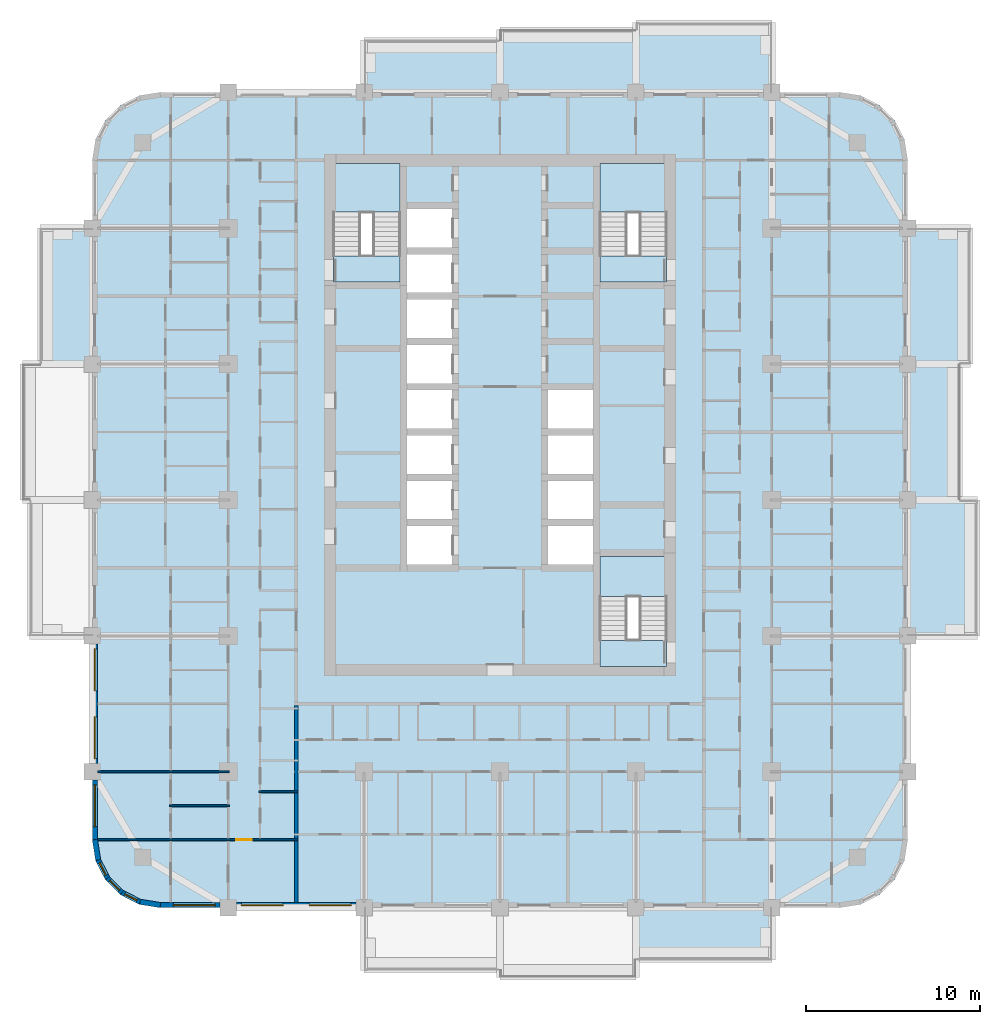
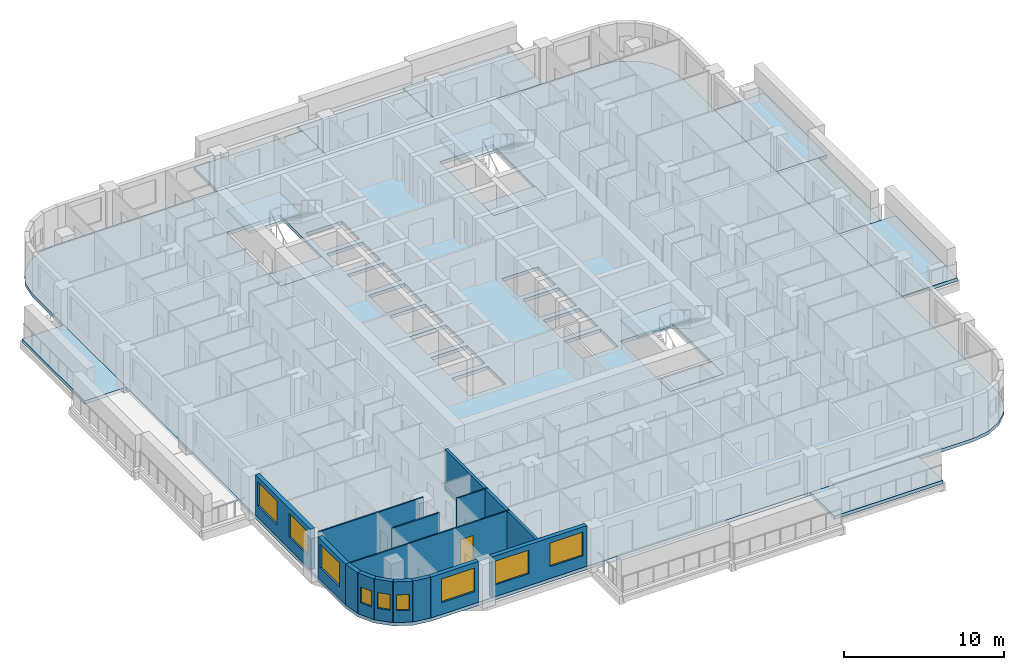
# One storey, part 2 of 17: 15 slabs, 14 walls, 9 windows, 1 door, 10 openings, 3 elements without a shape of their own.
"""IFC4 building model written with IfcOpenShell, lengths in metres."""

from ifc_helpers import new_model, si_unit, direction, frame, frame_2d, origin, place, context, subcontext, project, spatial, polyline, rectangle, outline, extrude, material, layer, layer_set, type_object, element, fill, aggregate, save


model = new_model("IFC4")

# Units and contexts
model_context = context("Model", 3, precision=1e-05, world=origin(), true_north=direction((0.0, 1.0)))
body_context = subcontext(model_context, "Body", "Model", "MODEL_VIEW")
ifc_project = project(units=[si_unit("LENGTHUNIT", "METRE"), si_unit("AREAUNIT", "SQUARE_METRE"), si_unit("VOLUMEUNIT", "CUBIC_METRE"), si_unit("PLANEANGLEUNIT", "RADIAN"), si_unit("MASSUNIT", "GRAM", prefix="KILO")], contexts=[model_context])

# Site, building, storey
site_placement = place(None, origin())
site = spatial("IfcSite", under=ifc_project, at=site_placement, CompositionType="ELEMENT")
building_placement = place(site_placement, origin())
building = spatial("IfcBuilding", under=site, at=building_placement, Name="Ludao Terraces", CompositionType="ELEMENT")
storey_placement = place(building_placement, frame((0.0, 0.0, 92.0)))
storey = spatial("IfcBuildingStorey", under=building, at=storey_placement, Name="L25", CompositionType="ELEMENT", Elevation=92.0)

# Slabs
ifc_material_1 = material(Name="Concrete C40", Category="concrete")
ifc_layer_1 = layer(ifc_material_1, 0.25)
ifc_layer_set_1 = layer_set([ifc_layer_1], Name="Balcony slab 250 C40")
slab_type_1 = type_object("IfcSlabType", Name="Balcony slab 250 C40", PredefinedType="USERDEFINED", material=ifc_layer_set_1)
slab_1_placement = place(storey_placement, frame((0.0, 0.0, -0.25)))
element("IfcSlab", 1, at=slab_1_placement, inside=storey, type_object=slab_type_1, Name="Balcony L25 S4", ObjectType="BALCONY", PredefinedType="USERDEFINED", context=body_context, shape_type="SweptSolid", body=[
    extrude(outline(polyline([(92.800048828125, 38.60009765625), (100.60009765625, 38.60009765625), (100.60009765625, 41.60009765625), (92.800048828125, 41.60009765625), (92.800048828125, 38.60009765625)])), origin(), (0.0, 0.0, 1.0), 0.25),
])
slab_2_placement = place(storey_placement, frame((0.0, 0.0, -0.25)))
element("IfcSlab", 2, at=slab_2_placement, inside=storey, type_object=slab_type_1, Name="Balcony L25 E2", ObjectType="BALCONY", PredefinedType="USERDEFINED", context=body_context, shape_type="SweptSolid", body=[
    extrude(outline(polyline([(108.39990234375, 57.199951171875), (112.39990234375, 57.199951171875), (112.39990234375, 65.0), (108.39990234375, 65.0), (108.39990234375, 57.199951171875)])), origin(), (0.0, 0.0, 1.0), 0.25),
])
slab_3_placement = place(storey_placement, frame((0.0, 0.0, -0.25)))
element("IfcSlab", 3, at=slab_3_placement, inside=storey, type_object=slab_type_1, Name="Balcony L25 E3", ObjectType="BALCONY", PredefinedType="USERDEFINED", context=body_context, shape_type="SweptSolid", body=[
    extrude(outline(polyline([(108.39990234375, 65.0), (111.39990234375, 65.0), (111.39990234375, 72.800048828125), (108.39990234375, 72.800048828125), (108.39990234375, 65.0)])), origin(), (0.0, 0.0, 1.0), 0.25),
])
slab_4_placement = place(storey_placement, frame((0.0, 0.0, -0.25)))
element("IfcSlab", 4, at=slab_4_placement, inside=storey, type_object=slab_type_1, Name="Balcony L25 E4", ObjectType="BALCONY", PredefinedType="USERDEFINED", context=body_context, shape_type="SweptSolid", body=[
    extrude(outline(polyline([(108.39990234375, 72.800048828125), (112.0, 72.800048828125), (112.0, 80.60009765625), (108.39990234375, 80.60009765625), (108.39990234375, 72.800048828125)])), origin(), (0.0, 0.0, 1.0), 0.25),
])
slab_5_placement = place(storey_placement, frame((0.0, 0.0, -0.25)))
element("IfcSlab", 5, at=slab_5_placement, inside=storey, type_object=slab_type_1, Name="Balcony L25 N2", ObjectType="BALCONY", PredefinedType="USERDEFINED", context=body_context, shape_type="SweptSolid", body=[
    extrude(outline(polyline([(77.199951171875, 88.39990234375), (85.0, 88.39990234375), (85.0, 91.39990234375), (77.199951171875, 91.39990234375), (77.199951171875, 88.39990234375)])), origin(), (0.0, 0.0, 1.0), 0.25),
])
slab_6_placement = place(storey_placement, frame((0.0, 0.0, -0.25)))
element("IfcSlab", 6, at=slab_6_placement, inside=storey, type_object=slab_type_1, Name="Balcony L25 N3", ObjectType="BALCONY", PredefinedType="USERDEFINED", context=body_context, shape_type="SweptSolid", body=[
    extrude(outline(polyline([(85.0, 88.39990234375), (92.800048828125, 88.39990234375), (92.800048828125, 92.0), (85.0, 92.0), (85.0, 88.39990234375)])), origin(), (0.0, 0.0, 1.0), 0.25),
])
slab_7_placement = place(storey_placement, frame((0.0, 0.0, -0.25)))
element("IfcSlab", 7, at=slab_7_placement, inside=storey, type_object=slab_type_1, Name="Balcony L25 N4", ObjectType="BALCONY", PredefinedType="USERDEFINED", context=body_context, shape_type="SweptSolid", body=[
    extrude(outline(polyline([(92.800048828125, 88.39990234375), (100.60009765625, 88.39990234375), (100.60009765625, 92.39990234375), (92.800048828125, 92.39990234375), (92.800048828125, 88.39990234375)])), origin(), (0.0, 0.0, 1.0), 0.25),
])
slab_8_placement = place(storey_placement, frame((0.0, 0.0, -0.25)))
element("IfcSlab", 8, at=slab_8_placement, inside=storey, type_object=slab_type_1, Name="Balcony L25 W4", ObjectType="BALCONY", PredefinedType="USERDEFINED", context=body_context, shape_type="SweptSolid", body=[
    extrude(outline(polyline([(58.60009765625, 72.800048828125), (61.60009765625, 72.800048828125), (61.60009765625, 80.60009765625), (58.60009765625, 80.60009765625), (58.60009765625, 72.800048828125)])), origin(), (0.0, 0.0, 1.0), 0.25),
])
ifc_layer_2 = layer(ifc_material_1, 0.25)
ifc_layer_set_2 = layer_set([ifc_layer_2], Name="Floor slab 250 C40")
slab_type_2 = type_object("IfcSlabType", Name="Floor slab 250 C40", PredefinedType="FLOOR", material=ifc_layer_set_2)
slab_9_placement = place(storey_placement, frame((0.0, 0.0, -0.25)))
element("IfcSlab", 9, at=slab_9_placement, inside=storey, type_object=slab_type_2, Name="Slab L25", PredefinedType="FLOOR", context=body_context, shape_type="SweptSolid", body=[
    extrude(outline(polyline([(104.5, 41.60009765625), (105.705078125, 41.790771484375), (106.79248046875, 42.3447265625), (107.6552734375, 43.20751953125), (108.209228515625, 44.294921875), (108.39990234375, 45.5), (108.39990234375, 84.5), (108.209228515625, 85.705078125), (107.6552734375, 86.79248046875), (106.79248046875, 87.6552734375), (105.705078125, 88.209228515625), (104.5, 88.39990234375), (65.5, 88.39990234375), (64.294921875, 88.209228515625), (63.20751953125, 87.6552734375), (62.3447265625, 86.79248046875), (61.790771484375, 85.705078125), (61.60009765625, 84.5), (61.60009765625, 45.5), (61.790771484375, 44.294921875), (62.3447265625, 43.20751953125), (63.20751953125, 42.3447265625), (64.294921875, 41.790771484375), (65.5, 41.60009765625), (104.5, 41.60009765625)]), holes=[polyline([(79.64990234375, 61.300048828125), (82.25, 61.300048828125), (82.25, 63.5), (79.64990234375, 63.5), (79.64990234375, 61.300048828125)]), polyline([(79.64990234375, 63.89990234375), (82.25, 63.89990234375), (82.25, 66.10009765625), (79.64990234375, 66.10009765625), (79.64990234375, 63.89990234375)]), polyline([(79.64990234375, 66.5), (82.25, 66.5), (82.25, 68.699951171875), (79.64990234375, 68.699951171875), (79.64990234375, 66.5)]), polyline([(79.64990234375, 69.10009765625), (82.25, 69.10009765625), (82.25, 71.300048828125), (79.64990234375, 71.300048828125), (79.64990234375, 69.10009765625)]), polyline([(79.64990234375, 71.699951171875), (82.25, 71.699951171875), (82.25, 73.89990234375), (79.64990234375, 73.89990234375), (79.64990234375, 71.699951171875)]), polyline([(79.64990234375, 74.300048828125), (82.25, 74.300048828125), (82.25, 76.5), (79.64990234375, 76.5), (79.64990234375, 74.300048828125)]), polyline([(79.64990234375, 76.89990234375), (82.25, 76.89990234375), (82.25, 79.10009765625), (79.64990234375, 79.10009765625), (79.64990234375, 76.89990234375)]), polyline([(79.64990234375, 79.5), (82.25, 79.5), (82.25, 81.699951171875), (79.64990234375, 81.699951171875), (79.64990234375, 79.5)]), polyline([(87.75, 61.300048828125), (90.35009765625, 61.300048828125), (90.35009765625, 63.5), (87.75, 63.5), (87.75, 61.300048828125)]), polyline([(87.75, 63.89990234375), (90.35009765625, 63.89990234375), (90.35009765625, 66.10009765625), (87.75, 66.10009765625), (87.75, 63.89990234375)]), polyline([(87.75, 66.5), (90.35009765625, 66.5), (90.35009765625, 68.699951171875), (87.75, 68.699951171875), (87.75, 66.5)]), polyline([(87.75, 69.10009765625), (90.35009765625, 69.10009765625), (90.35009765625, 71.300048828125), (87.75, 71.300048828125), (87.75, 69.10009765625)]), polyline([(75.449951171875, 77.5), (79.25, 77.5), (79.25, 84.239990234375), (75.449951171875, 84.239990234375), (75.449951171875, 77.5)]), polyline([(90.75, 77.5), (94.550048828125, 77.5), (94.550048828125, 84.239990234375), (90.75, 84.239990234375), (90.75, 77.5)]), polyline([(90.75, 55.449951171875), (94.550048828125, 55.449951171875), (94.550048828125, 61.75), (90.75, 61.75), (90.75, 55.449951171875)])]), origin(), (0.0, 0.0, 1.0), 0.25),
])

# Stair, slabs
stair_type = type_object("IfcStairType", Name="INT Stair", PredefinedType="HALF_TURN_STAIR", material=ifc_material_1)
stair_1_placement = place(storey_placement, origin())
stair_1 = element("IfcStair", 10, at=stair_1_placement, inside=storey, type_object=stair_type, Name="EXIT STAIR 1", PredefinedType="HALF_TURN_STAIR")
ifc_layer_3 = layer(ifc_material_1, 0.199951171875)
ifc_layer_set_3 = layer_set([ifc_layer_3], Name="INT Stair landing 200")
slab_type_3 = type_object("IfcSlabType", Name="INT Stair landing 200", PredefinedType="LANDING", material=ifc_layer_set_3)
slab_10_placement = place(storey_placement, frame((0.0, 0.0, 1.5)))
slab_10 = element("IfcSlab", 11, at=slab_10_placement, type_object=slab_type_3, Name="ST1 landing 1", PredefinedType="LANDING", context=body_context, shape_type="SweptSolid", body=[
    extrude(outline(polyline([(75.449951171875, 81.52001953125), (79.25, 81.52001953125), (79.25, 84.300048828125), (75.449951171875, 84.300048828125), (75.449951171875, 81.52001953125)])), origin(), (0.0, 0.0, 1.0), 0.199951171875),
])
slab_11_placement = place(storey_placement, frame((0.0, 0.0, -0.199951171875)))
slab_11 = element("IfcSlab", 12, at=slab_11_placement, type_object=slab_type_3, Name="ST1 landing 2", PredefinedType="LANDING", context=body_context, shape_type="SweptSolid", body=[
    extrude(outline(polyline([(75.449951171875, 77.5), (79.25, 77.5), (79.25, 79.0), (75.449951171875, 79.0), (75.449951171875, 77.5)])), origin(), (0.0, 0.0, 1.0), 0.199951171875),
])
aggregate(stair_1, [slab_10, slab_11])

stair_2_placement = place(storey_placement, origin())
stair_2 = element("IfcStair", 13, at=stair_2_placement, inside=storey, type_object=stair_type, Name="EXIT STAIR 2", PredefinedType="HALF_TURN_STAIR")
slab_12_placement = place(storey_placement, frame((0.0, 0.0, 1.5)))
slab_12 = element("IfcSlab", 14, at=slab_12_placement, type_object=slab_type_3, Name="ST2 landing 1", PredefinedType="LANDING", context=body_context, shape_type="SweptSolid", body=[
    extrude(outline(polyline([(90.75, 81.52001953125), (94.550048828125, 81.52001953125), (94.550048828125, 84.300048828125), (90.75, 84.300048828125), (90.75, 81.52001953125)])), origin(), (0.0, 0.0, 1.0), 0.199951171875),
])
slab_13_placement = place(storey_placement, frame((0.0, 0.0, -0.199951171875)))
slab_13 = element("IfcSlab", 15, at=slab_13_placement, type_object=slab_type_3, Name="ST2 landing 2", PredefinedType="LANDING", context=body_context, shape_type="SweptSolid", body=[
    extrude(outline(polyline([(90.75, 77.5), (94.550048828125, 77.5), (94.550048828125, 79.0), (90.75, 79.0), (90.75, 77.5)])), origin(), (0.0, 0.0, 1.0), 0.199951171875),
])
aggregate(stair_2, [slab_12, slab_13])

stair_3_placement = place(storey_placement, origin())
stair_3 = element("IfcStair", 16, at=stair_3_placement, inside=storey, type_object=stair_type, Name="EXIT STAIR 3", PredefinedType="HALF_TURN_STAIR")
slab_14_placement = place(storey_placement, frame((0.0, 0.0, 1.5)))
slab_14 = element("IfcSlab", 17, at=slab_14_placement, type_object=slab_type_3, Name="ST3 landing 1", PredefinedType="LANDING", context=body_context, shape_type="SweptSolid", body=[
    extrude(outline(polyline([(90.75, 59.469970703125), (94.550048828125, 59.469970703125), (94.550048828125, 61.75), (90.75, 61.75), (90.75, 59.469970703125)])), origin(), (0.0, 0.0, 1.0), 0.199951171875),
])
slab_15_placement = place(storey_placement, frame((0.0, 0.0, -0.199951171875)))
slab_15 = element("IfcSlab", 18, at=slab_15_placement, type_object=slab_type_3, Name="ST3 landing 2", PredefinedType="LANDING", context=body_context, shape_type="SweptSolid", body=[
    extrude(outline(polyline([(90.75, 55.449951171875), (94.550048828125, 55.449951171875), (94.550048828125, 56.949951171875), (90.75, 56.949951171875), (90.75, 55.449951171875)])), origin(), (0.0, 0.0, 1.0), 0.199951171875),
])
aggregate(stair_3, [slab_14, slab_15])

# Wall, opening, window
ifc_material_2 = material(Name="Granite cladding", Category="masonry")
ifc_layer_4 = layer(ifc_material_2, 0.0400390625, Category="stone")
ifc_material_3 = material(Name="Mineral wool")
ifc_layer_5 = layer(ifc_material_3, 0.06005859375)
ifc_layer_6 = layer(ifc_material_1, 0.199951171875, Category="concrete")
ifc_layer_set_4 = layer_set([ifc_layer_4, ifc_layer_5, ifc_layer_6], Name="ENV Stone-clad wall 300")
wall_type_1 = type_object("IfcWallType", Name="ENV Stone-clad wall 300", PredefinedType="SOLIDWALL", material=ifc_layer_set_4)
wall_1_placement = place(storey_placement, frame((65.5, 41.75, 0.0), z_axis=(0.0, 0.0, 1.0), x_axis=(1.0, 0.0, 0.0)))
wall_1 = element("IfcWall", 19, at=wall_1_placement, inside=storey, type_object=wall_type_1, Name="EW-L25-S1", PredefinedType="SOLIDWALL", context=body_context, shape_type="SweptSolid", body=[
    extrude(rectangle(XDim=3.425048828125, YDim=0.300048828125, at=frame_2d((1.71240234375, 0.0))), origin(), (0.0, 0.0, 1.0), 3.10009765625),
])
opening_1_placement = place(wall_1_placement, frame((0.75, 0.0, 0.89990234375)))
opening_1 = element("IfcOpeningElement", 20, at=opening_1_placement, cuts=wall_1, Name="Opening W1", PredefinedType="OPENING", context=body_context, shape_type="SweptSolid", body=[
    extrude(rectangle(XDim=2.39990234375, YDim=1.800048828125, at=frame_2d((1.199951171875, 0.89990234375))), frame((0.0, 0.16015625, 0.0), z_axis=(0.0, -1.0, 0.0), x_axis=(1.0, 0.0, 0.0)), (0.0, 0.0, 1.0), 0.320068359375),
])
ifc_material_4 = material(Name="Clear glass in aluminium frame", Category="aluminium")
ifc_layer_7 = layer(ifc_material_4, 0.06005859375)
ifc_layer_set_5 = layer_set([ifc_layer_7], Name="ENV Window W1 2400x1800")
window_type_1 = type_object("IfcWindowType", Name="ENV Window W1 2400x1800", PartitioningType="DOUBLE_PANEL_VERTICAL", PredefinedType="WINDOW", material=ifc_layer_set_5)
window_1_placement = place(opening_1_placement, origin())
window_1 = element("IfcWindow", 21, at=window_1_placement, inside=storey, type_object=window_type_1, Name="W-L25-S1-1", OverallHeight=1.800048828125, OverallWidth=2.39990234375, PartitioningType="DOUBLE_PANEL_VERTICAL", PredefinedType="WINDOW", context=body_context, shape_type="SweptSolid", body=[
    extrude(rectangle(XDim=2.39990234375, YDim=1.800048828125, at=frame_2d((1.199951171875, 0.89990234375))), frame((0.0, 0.030029296875, 0.0), z_axis=(0.0, -1.0, 0.0), x_axis=(1.0, 0.0, 0.0)), (0.0, 0.0, 1.0), 0.06005859375),
])
fill(opening_1, window_1)

# Wall, openings, windows
wall_2_placement = place(storey_placement, frame((69.875, 41.75, 0.0), z_axis=(0.0, 0.0, 1.0), x_axis=(1.0, 0.0, 0.0)))
wall_2 = element("IfcWall", 22, at=wall_2_placement, inside=storey, type_object=wall_type_1, Name="EW-L25-S2", PredefinedType="SOLIDWALL", context=body_context, shape_type="SweptSolid", body=[
    extrude(rectangle(XDim=6.85009765625, YDim=0.300048828125, at=frame_2d((3.425048828125, 0.0))), origin(), (0.0, 0.0, 1.0), 3.10009765625),
])
opening_2_placement = place(wall_2_placement, frame((0.27490234375, 0.0, 0.89990234375)))
opening_2 = element("IfcOpeningElement", 23, at=opening_2_placement, cuts=wall_2, Name="Opening W1", PredefinedType="OPENING", context=body_context, shape_type="SweptSolid", body=[
    extrude(rectangle(XDim=2.39990234375, YDim=1.800048828125, at=frame_2d((1.199951171875, 0.89990234375))), frame((0.0, 0.16015625, 0.0), z_axis=(0.0, -1.0, 0.0), x_axis=(1.0, 0.0, 0.0)), (0.0, 0.0, 1.0), 0.320068359375),
])
opening_3_placement = place(wall_2_placement, frame((4.175048828125, 0.0, 0.89990234375)))
opening_3 = element("IfcOpeningElement", 24, at=opening_3_placement, cuts=wall_2, Name="Opening W1", PredefinedType="OPENING", context=body_context, shape_type="SweptSolid", body=[
    extrude(rectangle(XDim=2.39990234375, YDim=1.800048828125, at=frame_2d((1.199951171875, 0.89990234375))), frame((0.0, 0.16015625, 0.0), z_axis=(0.0, -1.0, 0.0), x_axis=(1.0, 0.0, 0.0)), (0.0, 0.0, 1.0), 0.320068359375),
])
window_2_placement = place(opening_2_placement, origin())
window_2 = element("IfcWindow", 25, at=window_2_placement, inside=storey, type_object=window_type_1, Name="W-L25-S2-1", OverallHeight=1.800048828125, OverallWidth=2.39990234375, PartitioningType="DOUBLE_PANEL_VERTICAL", PredefinedType="WINDOW", context=body_context, shape_type="SweptSolid", body=[
    extrude(rectangle(XDim=2.39990234375, YDim=1.800048828125, at=frame_2d((1.199951171875, 0.89990234375))), frame((0.0, 0.030029296875, 0.0), z_axis=(0.0, -1.0, 0.0), x_axis=(1.0, 0.0, 0.0)), (0.0, 0.0, 1.0), 0.06005859375),
])
fill(opening_2, window_2)
window_3_placement = place(opening_3_placement, origin())
window_3 = element("IfcWindow", 26, at=window_3_placement, inside=storey, type_object=window_type_1, Name="W-L25-S2-2", OverallHeight=1.800048828125, OverallWidth=2.39990234375, PartitioningType="DOUBLE_PANEL_VERTICAL", PredefinedType="WINDOW", context=body_context, shape_type="SweptSolid", body=[
    extrude(rectangle(XDim=2.39990234375, YDim=1.800048828125, at=frame_2d((1.199951171875, 0.89990234375))), frame((0.0, 0.030029296875, 0.0), z_axis=(0.0, -1.0, 0.0), x_axis=(1.0, 0.0, 0.0)), (0.0, 0.0, 1.0), 0.06005859375),
])
fill(opening_3, window_3)

# Wall, opening, window
wall_3_placement = place(storey_placement, frame((61.75, 45.5, 0.0), z_axis=(0.0, 0.0, 1.0), x_axis=(0.0, 1.0, 0.0)))
wall_3 = element("IfcWall", 27, at=wall_3_placement, inside=storey, type_object=wall_type_1, Name="EW-L25-W1", PredefinedType="SOLIDWALL", context=body_context, shape_type="SweptSolid", body=[
    extrude(rectangle(XDim=3.425048828125, YDim=0.300048828125, at=frame_2d((1.71240234375, 0.0))), origin(), (0.0, 0.0, 1.0), 3.10009765625),
])
opening_4_placement = place(wall_3_placement, frame((0.75, 0.0, 0.89990234375)))
opening_4 = element("IfcOpeningElement", 28, at=opening_4_placement, cuts=wall_3, Name="Opening W1", PredefinedType="OPENING", context=body_context, shape_type="SweptSolid", body=[
    extrude(rectangle(XDim=2.39990234375, YDim=1.800048828125, at=frame_2d((1.199951171875, 0.89990234375))), frame((0.0, 0.16015625, 0.0), z_axis=(0.0, -1.0, 0.0), x_axis=(1.0, 0.0, 0.0)), (0.0, 0.0, 1.0), 0.320068359375),
])
window_4_placement = place(opening_4_placement, origin())
window_4 = element("IfcWindow", 29, at=window_4_placement, inside=storey, type_object=window_type_1, Name="W-L25-W1-1", OverallHeight=1.800048828125, OverallWidth=2.39990234375, PartitioningType="DOUBLE_PANEL_VERTICAL", PredefinedType="WINDOW", context=body_context, shape_type="SweptSolid", body=[
    extrude(rectangle(XDim=2.39990234375, YDim=1.800048828125, at=frame_2d((1.199951171875, 0.89990234375))), frame((0.0, 0.030029296875, 0.0), z_axis=(0.0, -1.0, 0.0), x_axis=(1.0, 0.0, 0.0)), (0.0, 0.0, 1.0), 0.06005859375),
])
fill(opening_4, window_4)

# Wall, openings, windows
wall_4_placement = place(storey_placement, frame((61.75, 49.875, 0.0), z_axis=(0.0, 0.0, 1.0), x_axis=(0.0, 1.0, 0.0)))
wall_4 = element("IfcWall", 30, at=wall_4_placement, inside=storey, type_object=wall_type_1, Name="EW-L25-W2", PredefinedType="SOLIDWALL", context=body_context, shape_type="SweptSolid", body=[
    extrude(rectangle(XDim=6.85009765625, YDim=0.300048828125, at=frame_2d((3.425048828125, 0.0))), origin(), (0.0, 0.0, 1.0), 3.10009765625),
])
opening_5_placement = place(wall_4_placement, frame((0.27490234375, 0.0, 0.89990234375)))
opening_5 = element("IfcOpeningElement", 31, at=opening_5_placement, cuts=wall_4, Name="Opening W1", PredefinedType="OPENING", context=body_context, shape_type="SweptSolid", body=[
    extrude(rectangle(XDim=2.39990234375, YDim=1.800048828125, at=frame_2d((1.199951171875, 0.89990234375))), frame((0.0, 0.16015625, 0.0), z_axis=(0.0, -1.0, 0.0), x_axis=(1.0, 0.0, 0.0)), (0.0, 0.0, 1.0), 0.320068359375),
])
opening_6_placement = place(wall_4_placement, frame((4.175048828125, 0.0, 0.89990234375)))
opening_6 = element("IfcOpeningElement", 32, at=opening_6_placement, cuts=wall_4, Name="Opening W1", PredefinedType="OPENING", context=body_context, shape_type="SweptSolid", body=[
    extrude(rectangle(XDim=2.39990234375, YDim=1.800048828125, at=frame_2d((1.199951171875, 0.89990234375))), frame((0.0, 0.16015625, 0.0), z_axis=(0.0, -1.0, 0.0), x_axis=(1.0, 0.0, 0.0)), (0.0, 0.0, 1.0), 0.320068359375),
])
window_5_placement = place(opening_5_placement, origin())
window_5 = element("IfcWindow", 33, at=window_5_placement, inside=storey, type_object=window_type_1, Name="W-L25-W2-1", OverallHeight=1.800048828125, OverallWidth=2.39990234375, PartitioningType="DOUBLE_PANEL_VERTICAL", PredefinedType="WINDOW", context=body_context, shape_type="SweptSolid", body=[
    extrude(rectangle(XDim=2.39990234375, YDim=1.800048828125, at=frame_2d((1.199951171875, 0.89990234375))), frame((0.0, 0.030029296875, 0.0), z_axis=(0.0, -1.0, 0.0), x_axis=(1.0, 0.0, 0.0)), (0.0, 0.0, 1.0), 0.06005859375),
])
fill(opening_5, window_5)
window_6_placement = place(opening_6_placement, origin())
window_6 = element("IfcWindow", 34, at=window_6_placement, inside=storey, type_object=window_type_1, Name="W-L25-W2-2", OverallHeight=1.800048828125, OverallWidth=2.39990234375, PartitioningType="DOUBLE_PANEL_VERTICAL", PredefinedType="WINDOW", context=body_context, shape_type="SweptSolid", body=[
    extrude(rectangle(XDim=2.39990234375, YDim=1.800048828125, at=frame_2d((1.199951171875, 0.89990234375))), frame((0.0, 0.030029296875, 0.0), z_axis=(0.0, -1.0, 0.0), x_axis=(1.0, 0.0, 0.0)), (0.0, 0.0, 1.0), 0.06005859375),
])
fill(opening_6, window_6)

# Wall
wall_5_placement = place(storey_placement, frame((61.75, 45.5, 0.0), z_axis=(0.0, 0.0, 1.0), x_axis=(0.156496880861, -0.987678452879, 0.0)))
element("IfcWall", 35, at=wall_5_placement, inside=storey, type_object=wall_type_1, Name="EW-L25-SW1", PredefinedType="SOLIDWALL", context=body_context, shape_type="SweptSolid", body=[
    extrude(rectangle(XDim=1.173095703125, YDim=0.300048828125, at=frame_2d((0.58642578125, 0.0))), origin(), (0.0, 0.0, 1.0), 3.10009765625),
])

# Wall, opening, window
wall_6_placement = place(storey_placement, frame((61.93359375, 44.34130859375, 0.0), z_axis=(0.0, 0.0, 1.0), x_axis=(0.454025524128, -0.890988677504, 0.0)))
wall_6 = element("IfcWall", 36, at=wall_6_placement, inside=storey, type_object=wall_type_1, Name="EW-L25-SW2", PredefinedType="SOLIDWALL", context=body_context, shape_type="SweptSolid", body=[
    extrude(rectangle(XDim=1.17333984375, YDim=0.300048828125, at=frame_2d((0.586669921875, 0.0))), origin(), (0.0, 0.0, 1.0), 3.10009765625),
])
opening_7_placement = place(wall_6_placement, frame((0.1865234375, 0.0, 0.89990234375)))
opening_7 = element("IfcOpeningElement", 37, at=opening_7_placement, cuts=wall_6, Name="Opening W3", PredefinedType="OPENING", context=body_context, shape_type="SweptSolid", body=[
    extrude(rectangle(XDim=0.800048828125, YDim=1.199951171875, at=frame_2d((0.39990234375, 0.60009765625))), frame((0.0, 0.16015625, 0.0), z_axis=(0.0, -1.0, 0.0), x_axis=(1.0, 0.0, 0.0)), (0.0, 0.0, 1.0), 0.320068359375),
])
ifc_layer_8 = layer(ifc_material_4, 0.06005859375)
ifc_layer_set_6 = layer_set([ifc_layer_8], Name="ENV Window W3 800x1200")
window_type_2 = type_object("IfcWindowType", Name="ENV Window W3 800x1200", PartitioningType="SINGLE_PANEL", PredefinedType="WINDOW", material=ifc_layer_set_6)
window_7_placement = place(opening_7_placement, origin())
window_7 = element("IfcWindow", 38, at=window_7_placement, inside=storey, type_object=window_type_2, Name="W-L25-SW2", OverallHeight=1.199951171875, OverallWidth=0.800048828125, PartitioningType="SINGLE_PANEL", PredefinedType="WINDOW", context=body_context, shape_type="SweptSolid", body=[
    extrude(rectangle(XDim=0.800048828125, YDim=1.199951171875, at=frame_2d((0.39990234375, 0.60009765625))), frame((0.0, 0.030029296875, 0.0), z_axis=(0.0, -1.0, 0.0), x_axis=(1.0, 0.0, 0.0)), (0.0, 0.0, 1.0), 0.06005859375),
])
fill(opening_7, window_7)

wall_7_placement = place(storey_placement, frame((62.46630859375, 43.2958984375, 0.0), z_axis=(0.0, 0.0, 1.0), x_axis=(0.707106781187, -0.707106781187, 0.0)))
wall_7 = element("IfcWall", 39, at=wall_7_placement, inside=storey, type_object=wall_type_1, Name="EW-L25-SW3", PredefinedType="SOLIDWALL", context=body_context, shape_type="SweptSolid", body=[
    extrude(rectangle(XDim=1.173095703125, YDim=0.300048828125, at=frame_2d((0.58642578125, 0.0))), origin(), (0.0, 0.0, 1.0), 3.10009765625),
])
opening_8_placement = place(wall_7_placement, frame((0.1865234375, 0.0, 0.89990234375)))
opening_8 = element("IfcOpeningElement", 40, at=opening_8_placement, cuts=wall_7, Name="Opening W3", PredefinedType="OPENING", context=body_context, shape_type="SweptSolid", body=[
    extrude(rectangle(XDim=0.800048828125, YDim=1.199951171875, at=frame_2d((0.39990234375, 0.60009765625))), frame((0.0, 0.16015625, 0.0), z_axis=(0.0, -1.0, 0.0), x_axis=(1.0, 0.0, 0.0)), (0.0, 0.0, 1.0), 0.320068359375),
])
window_8_placement = place(opening_8_placement, origin())
window_8 = element("IfcWindow", 41, at=window_8_placement, inside=storey, type_object=window_type_2, Name="W-L25-SW3", OverallHeight=1.199951171875, OverallWidth=0.800048828125, PartitioningType="SINGLE_PANEL", PredefinedType="WINDOW", context=body_context, shape_type="SweptSolid", body=[
    extrude(rectangle(XDim=0.800048828125, YDim=1.199951171875, at=frame_2d((0.39990234375, 0.60009765625))), frame((0.0, 0.030029296875, 0.0), z_axis=(0.0, -1.0, 0.0), x_axis=(1.0, 0.0, 0.0)), (0.0, 0.0, 1.0), 0.06005859375),
])
fill(opening_8, window_8)

wall_8_placement = place(storey_placement, frame((63.2958984375, 42.46630859375, 0.0), z_axis=(0.0, 0.0, 1.0), x_axis=(0.890988677504, -0.454025524128, 0.0)))
wall_8 = element("IfcWall", 42, at=wall_8_placement, inside=storey, type_object=wall_type_1, Name="EW-L25-SW4", PredefinedType="SOLIDWALL", context=body_context, shape_type="SweptSolid", body=[
    extrude(rectangle(XDim=1.17333984375, YDim=0.300048828125, at=frame_2d((0.586669921875, 0.0))), origin(), (0.0, 0.0, 1.0), 3.10009765625),
])
opening_9_placement = place(wall_8_placement, frame((0.1865234375, 0.0, 0.89990234375)))
opening_9 = element("IfcOpeningElement", 43, at=opening_9_placement, cuts=wall_8, Name="Opening W3", PredefinedType="OPENING", context=body_context, shape_type="SweptSolid", body=[
    extrude(rectangle(XDim=0.800048828125, YDim=1.199951171875, at=frame_2d((0.39990234375, 0.60009765625))), frame((0.0, 0.16015625, 0.0), z_axis=(0.0, -1.0, 0.0), x_axis=(1.0, 0.0, 0.0)), (0.0, 0.0, 1.0), 0.320068359375),
])
window_9_placement = place(opening_9_placement, origin())
window_9 = element("IfcWindow", 44, at=window_9_placement, inside=storey, type_object=window_type_2, Name="W-L25-SW4", OverallHeight=1.199951171875, OverallWidth=0.800048828125, PartitioningType="SINGLE_PANEL", PredefinedType="WINDOW", context=body_context, shape_type="SweptSolid", body=[
    extrude(rectangle(XDim=0.800048828125, YDim=1.199951171875, at=frame_2d((0.39990234375, 0.60009765625))), frame((0.0, 0.030029296875, 0.0), z_axis=(0.0, -1.0, 0.0), x_axis=(1.0, 0.0, 0.0)), (0.0, 0.0, 1.0), 0.06005859375),
])
fill(opening_9, window_9)

# Wall
wall_9_placement = place(storey_placement, frame((64.34130859375, 41.93359375, 0.0), z_axis=(0.0, 0.0, 1.0), x_axis=(0.987678452879, -0.156496880861, 0.0)))
element("IfcWall", 45, at=wall_9_placement, inside=storey, type_object=wall_type_1, Name="EW-L25-SW5", PredefinedType="SOLIDWALL", context=body_context, shape_type="SweptSolid", body=[
    extrude(rectangle(XDim=1.173095703125, YDim=0.300048828125, at=frame_2d((0.58642578125, 0.0))), origin(), (0.0, 0.0, 1.0), 3.10009765625),
])

# Wall, opening, door
ifc_material_5 = material(Name="Gypsum plasterboard", Category="gypsum")
ifc_layer_9 = layer(ifc_material_5, 0.012451171875, Category="gypsum")
ifc_layer_10 = layer(ifc_material_3, 0.06005859375, Name="insulation")
ifc_material_6 = material(Name="Steel Q235", Category="steel")
ifc_layer_11 = layer(ifc_material_6, 0.014892578125, Name="stud")
ifc_layer_12 = layer(ifc_material_5, 0.012451171875, Category="gypsum")
ifc_layer_set_7 = layer_set([ifc_layer_9, ifc_layer_10, ifc_layer_11, ifc_layer_12], Name="INT Partition 100")
wall_type_2 = type_object("IfcWallType", Name="INT Partition 100", PredefinedType="PARTITIONING", material=ifc_layer_set_7)
wall_10_placement = place(storey_placement, frame((61.900146484375, 45.5, 0.0), z_axis=(0.0, 0.0, 1.0), x_axis=(1.0, 0.0, 0.0)))
wall_10 = element("IfcWall", 46, at=wall_10_placement, inside=storey, type_object=wall_type_2, Name="PW-L25-PW000", PredefinedType="PARTITIONING", context=body_context, shape_type="SweptSolid", body=[
    extrude(rectangle(XDim=11.5, YDim=0.10009765625, at=frame_2d((5.75, 0.0))), origin(), (0.0, 0.0, 1.0), 3.10009765625),
])
opening_10_placement = place(wall_10_placement, frame((7.965087890625, 0.0, 0.0)))
opening_10 = element("IfcOpeningElement", 47, at=opening_10_placement, cuts=wall_10, Name="Opening R07-005", PredefinedType="OPENING", context=body_context, shape_type="SweptSolid", body=[
    extrude(rectangle(XDim=0.89990234375, YDim=2.10009765625, at=frame_2d((0.449951171875, 1.050048828125))), frame((0.0, 0.06005859375, 0.0), z_axis=(0.0, -1.0, 0.0), x_axis=(1.0, 0.0, 0.0)), (0.0, 0.0, 1.0), 0.1201171875),
])
ifc_material_7 = material(Name="Timber door leaf", Category="wood")
door_type = type_object("IfcDoorType", Name="INT Room door 900", OperationType="SINGLE_SWING_LEFT", PredefinedType="DOOR", material=ifc_material_7)
door_placement = place(opening_10_placement, origin())
door = element("IfcDoor", 48, at=door_placement, inside=storey, type_object=door_type, Name="DOOR 005", OperationType="SINGLE_SWING_RIGHT", OverallHeight=2.10009765625, OverallWidth=0.89990234375, PredefinedType="DOOR", context=body_context, shape_type="SweptSolid", body=[
    extrude(rectangle(XDim=0.89990234375, YDim=2.10009765625, at=frame_2d((0.449951171875, 1.050048828125))), frame((0.0, 0.02490234375, 0.0), z_axis=(0.0, -1.0, 0.0), x_axis=(1.0, 0.0, 0.0)), (0.0, 0.0, 1.0), 0.050048828125),
])
fill(opening_10, door)

# Walls
wall_11_placement = place(storey_placement, frame((66.050048828125, 47.449951171875, 0.0), z_axis=(0.0, 0.0, 1.0), x_axis=(1.0, 0.0, 0.0)))
element("IfcWall", 49, at=wall_11_placement, inside=storey, type_object=wall_type_2, Name="PW-L25-PW005", PredefinedType="PARTITIONING", context=body_context, shape_type="SweptSolid", body=[
    extrude(rectangle(XDim=3.400146484375, YDim=0.10009765625, at=frame_2d((1.7001953125, 0.0))), origin(), (0.0, 0.0, 1.0), 3.10009765625),
])
wall_12_placement = place(storey_placement, frame((71.18017578125, 48.25, 0.0), z_axis=(0.0, 0.0, 1.0), x_axis=(1.0, 0.0, 0.0)))
element("IfcWall", 50, at=wall_12_placement, inside=storey, type_object=wall_type_2, Name="PW-L25-PW006", PredefinedType="PARTITIONING", context=body_context, shape_type="SweptSolid", body=[
    extrude(rectangle(XDim=2.219970703125, YDim=0.10009765625, at=frame_2d((1.10986328125, 0.0))), origin(), (0.0, 0.0, 1.0), 3.10009765625),
])
wall_13_placement = place(storey_placement, frame((61.900146484375, 49.39990234375, 0.0), z_axis=(0.0, 0.0, 1.0), x_axis=(1.0, 0.0, 0.0)))
element("IfcWall", 51, at=wall_13_placement, inside=storey, type_object=wall_type_2, Name="PW-L25-PW007", PredefinedType="PARTITIONING", context=body_context, shape_type="SweptSolid", body=[
    extrude(rectangle(XDim=7.550048828125, YDim=0.10009765625, at=frame_2d((3.77490234375, 0.0))), origin(), (0.0, 0.0, 1.0), 3.10009765625),
])
ifc_material_8 = material(Name="Autoclaved aerated concrete block B06 A3.5", Category="concrete")
ifc_layer_13 = layer(ifc_material_8, 0.199951171875)
ifc_layer_set_8 = layer_set([ifc_layer_13], Name="INT Party wall 200")
wall_type_3 = type_object("IfcWallType", Name="INT Party wall 200", PredefinedType="PARTITIONING", material=ifc_layer_set_8)
wall_14_placement = place(storey_placement, frame((73.300048828125, 41.900146484375, 0.0), z_axis=(0.0, 0.0, 1.0), x_axis=(0.0, 1.0, 0.0)))
element("IfcWall", 52, at=wall_14_placement, inside=storey, type_object=wall_type_3, Name="PW-L25-PW087", PredefinedType="PARTITIONING", context=body_context, shape_type="SweptSolid", body=[
    extrude(rectangle(XDim=11.300048828125, YDim=0.199951171875, at=frame_2d((5.64990234375, 0.0))), origin(), (0.0, 0.0, 1.0), 3.10009765625),
])

save(model, "model.ifc")
